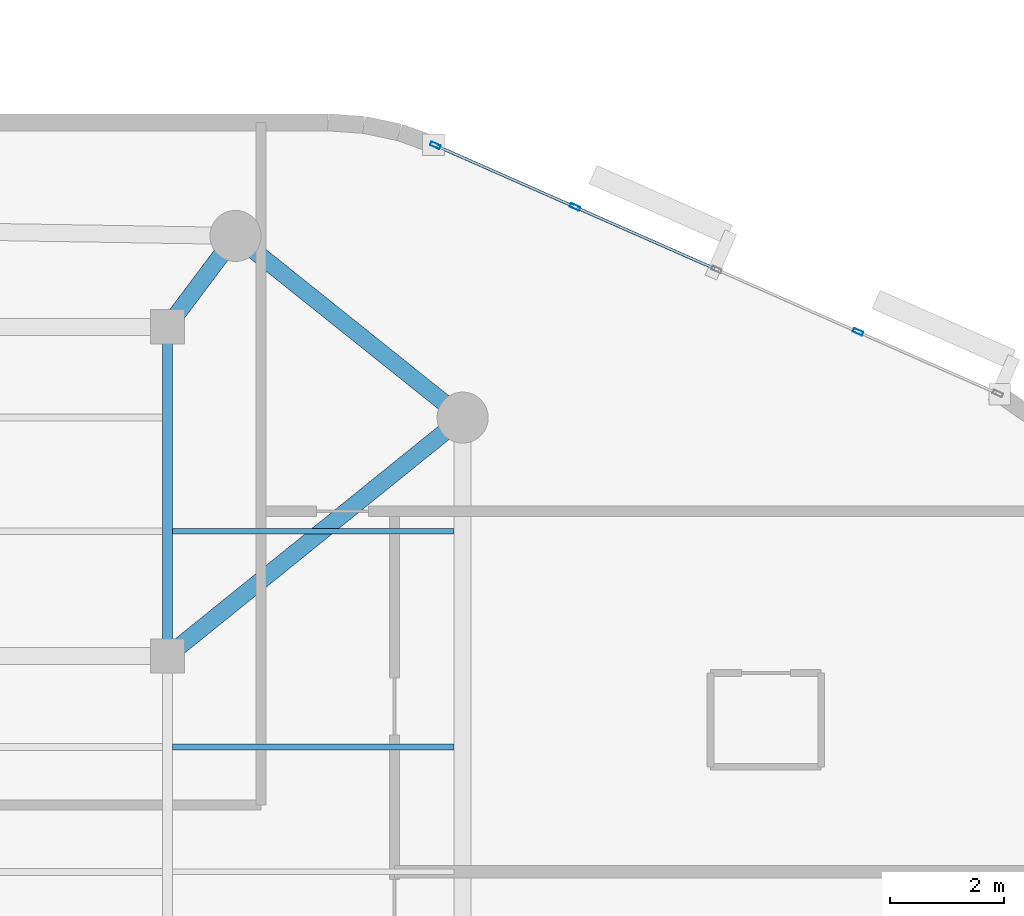
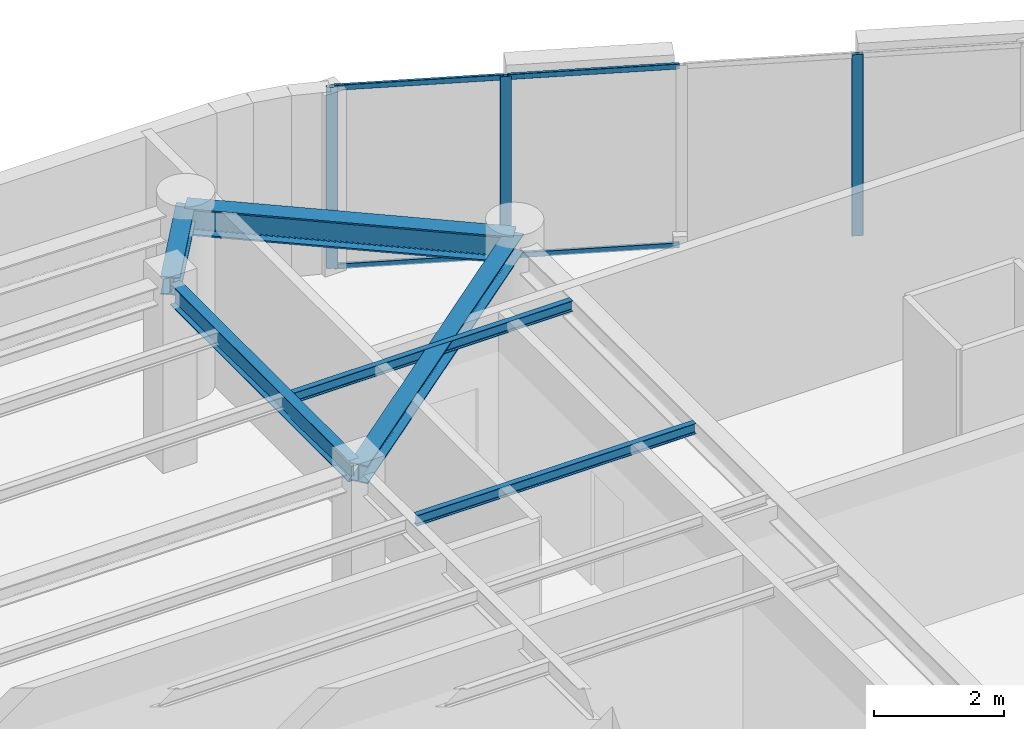
# One storey, part 5 of 12: 7 members, 6 beams, 1 element without a shape of its own.
"""IFC4 building model written with IfcOpenShell, lengths in metres."""

from ifc_helpers import new_model, si_unit, direction, frame, origin, origin_2d, place, context, subcontext, project, spatial, hollow_rectangle, i_section, extrude, material, layer, layer_set, material_profile, profile_set, type_object, element, aggregate, save


model = new_model("IFC4")

# Units and contexts
model_context = context("Model", 3, precision=1e-05, world=origin(), true_north=direction((0.0, 1.0)))
body_context = subcontext(model_context, "Body", "Model", "MODEL_VIEW")
ifc_project = project(units=[si_unit("LENGTHUNIT", "METRE"), si_unit("AREAUNIT", "SQUARE_METRE"), si_unit("VOLUMEUNIT", "CUBIC_METRE"), si_unit("PLANEANGLEUNIT", "RADIAN"), si_unit("MASSUNIT", "GRAM", prefix="KILO")], contexts=[model_context])

# Site, building, storey
site_placement = place(None, origin())
site = spatial("IfcSite", under=ifc_project, at=site_placement, CompositionType="ELEMENT")
building_placement = place(site_placement, origin())
building = spatial("IfcBuilding", under=site, at=building_placement, Name="An Khanh Terracotta Commons", CompositionType="ELEMENT")
storey_placement = place(building_placement, frame((0.0, 0.0, 291.64990234375)))
storey = spatial("IfcBuildingStorey", under=building, at=storey_placement, Name="L76", CompositionType="ELEMENT", Elevation=291.64990234375)

# Beams
ifc_material_1 = material(Name="Steel S355J2", Category="steel")
ifc_material_profile_1 = material_profile(ifc_material_1, i_section(OverallWidth=0.300048828125, OverallDepth=0.340087890625, WebThickness=0.011962890625, FlangeThickness=0.021484375, FilletRadius=0.027099609375, at=origin_2d()), Name="HEB340")
ifc_profile_set_1 = profile_set([ifc_material_profile_1], Name="Steel S355J2")
beam_type_1 = type_object("IfcBeamType", Name="BM-HEB340", PredefinedType="BEAM", material=ifc_profile_set_1)
beam_1_placement = place(storey_placement, frame((63.39990234375, 32.0, 3.239990234375), z_axis=(-0.777941866883, -0.628336256913, 0.0), x_axis=(0.628336256913, -0.777941866883, 0.0)))
element("IfcBeam", 1, at=beam_1_placement, inside=storey, type_object=beam_type_1, Name="L76 Mega-Column Tie Girder 4", PredefinedType="BEAM", context=body_context, shape_type="SweptSolid", body=[
    extrude(i_section(OverallWidth=0.300048828125, OverallDepth=0.340087890625, WebThickness=0.011962890625, FlangeThickness=0.021484375, FilletRadius=0.027099609375, at=origin_2d()), origin(), (0.0, 0.0, 1.0), 6.684326171875),
])
beam_2_placement = place(storey_placement, frame((59.39990234375, 35.199951171875, 3.239990234375), z_axis=(-0.600019532502, -0.799985350251, 0.0), x_axis=(0.799985350251, -0.600019532502, 0.0)))
element("IfcBeam", 2, at=beam_2_placement, inside=storey, type_object=beam_type_1, Name="L76 Mega-Column Tie Girder 5", PredefinedType="BEAM", context=body_context, shape_type="SweptSolid", body=[
    extrude(i_section(OverallWidth=0.300048828125, OverallDepth=0.340087890625, WebThickness=0.011962890625, FlangeThickness=0.021484375, FilletRadius=0.027099609375, at=origin_2d()), origin(), (0.0, 0.0, 1.0), 1.999755859375),
])
ifc_material_profile_2 = material_profile(ifc_material_1, i_section(OverallWidth=0.300048828125, OverallDepth=0.5, WebThickness=0.014404296875, FlangeThickness=0.028076171875, FilletRadius=0.027099609375, at=origin_2d()), Name="HEB500")
ifc_profile_set_2 = profile_set([ifc_material_profile_2], Name="Steel S355J2")
beam_type_2 = type_object("IfcBeamType", Name="BM-HEB500", PredefinedType="BEAM", material=ifc_profile_set_2)
beam_3_placement = place(storey_placement, frame((63.39990234375, 32.0, 3.16015625), z_axis=(-0.780873459249, 0.624689235253, 0.0), x_axis=(-0.624689235253, -0.780873459249, 0.0)))
element("IfcBeam", 3, at=beam_3_placement, inside=storey, type_object=beam_type_2, Name="L76 Perimeter Ring Spandrel 4", PredefinedType="BEAM", context=body_context, shape_type="SweptSolid", body=[
    extrude(i_section(OverallWidth=0.300048828125, OverallDepth=0.5, WebThickness=0.014404296875, FlangeThickness=0.028076171875, FilletRadius=0.027099609375, at=origin_2d()), origin(), (0.0, 0.0, 1.0), 5.12255859375),
])
ifc_material_profile_3 = material_profile(ifc_material_1, i_section(OverallWidth=0.10009765625, OverallDepth=0.199951171875, WebThickness=0.005615234375, FlangeThickness=0.008544921875, FilletRadius=0.011962890625, at=origin_2d()), Name="IPE200")
ifc_profile_set_3 = profile_set([ifc_material_profile_3], Name="Steel S355J2")
beam_type_3 = type_object("IfcBeamType", Name="BM-IPE200", PredefinedType="JOIST", material=ifc_profile_set_3)
for number, where, z_axis, x_axis, name in (
    (4, (58.2900390625, 26.199951171875, 3.31005859375), (1.0, 0.0, 0.0), (0.0, 1.0, 0.0), "L76 Riverfront Composite Joist 5"),
    (5, (58.2900390625, 30.0, 3.31005859375), (1.0, 0.0, 0.0), (0.0, 1.0, 0.0), "L76 Riverfront Composite Joist 6"),
):
    element("IfcBeam", number, at=place(storey_placement, frame(where, z_axis=z_axis, x_axis=x_axis)), inside=storey, type_object=beam_type_3, Name=name, PredefinedType="JOIST", context=body_context, shape_type="SweptSolid", body=[
        extrude(i_section(OverallWidth=0.10009765625, OverallDepth=0.199951171875, WebThickness=0.005615234375, FlangeThickness=0.008544921875, FilletRadius=0.011962890625, at=origin_2d()), origin(), (0.0, 0.0, 1.0), 4.9599609375),
    ])
ifc_material_profile_4 = material_profile(ifc_material_1, i_section(OverallWidth=0.179931640625, OverallDepth=0.39990234375, WebThickness=0.008544921875, FlangeThickness=0.013427734375, FilletRadius=0.02099609375, at=origin_2d()), Name="IPE400")
ifc_profile_set_4 = profile_set([ifc_material_profile_4], Name="Steel S355J2")
beam_type_4 = type_object("IfcBeamType", Name="BM-IPE400", PredefinedType="JOIST", material=ifc_profile_set_4)
beam_4_placement = place(storey_placement, frame((58.199951171875, 27.949951171875, 3.210205078125), z_axis=(0.0, 1.0, 0.0), x_axis=(-1.0, 0.0, 0.0)))
element("IfcBeam", 6, at=beam_4_placement, inside=storey, type_object=beam_type_4, Name="L76 East Spine Girder 3", PredefinedType="JOIST", context=body_context, shape_type="SweptSolid", body=[
    extrude(i_section(OverallWidth=0.179931640625, OverallDepth=0.39990234375, WebThickness=0.008544921875, FlangeThickness=0.013427734375, FilletRadius=0.02099609375, at=origin_2d()), origin(), (0.0, 0.0, 1.0), 5.5),
])

# Curtain wall, members
ifc_material_2 = material(Name="Anodised Aluminium 6063-T6", Category="aluminium")
ifc_layer = layer(ifc_material_2, 0.2099609375, Name="Anodised Aluminium 6063-T6")
ifc_layer_set = layer_set([ifc_layer], Name="Anodised Aluminium 6063-T6")
curtain_wall_type = type_object("IfcCurtainWallType", Name="CW-SYS-03", PredefinedType="USERDEFINED", material=ifc_layer_set)
curtain_wall_placement = place(storey_placement, origin())
curtain_wall = element("IfcCurtainWall", 7, at=curtain_wall_placement, inside=storey, type_object=curtain_wall_type, Name="L76 CW-03 Unitised Curtain Wall CW-L76-16", ObjectType="UNITISED CURTAIN WALL", PredefinedType="USERDEFINED")
ifc_material_profile_5 = material_profile(ifc_material_2, hollow_rectangle(XDim=0.070068359375, YDim=0.179931640625, WallThickness=0.00390625, InnerFilletRadius=0.00390625, OuterFilletRadius=0.008056640625, at=origin_2d()), Name="RHS180x70x4")
ifc_profile_set_5 = profile_set([ifc_material_profile_5], Name="Anodised Aluminium 6063-T6")
member_type_1 = type_object("IfcMemberType", Name="CWM-RHS180x70x4", PredefinedType="MULLION", material=ifc_profile_set_5)
member_1_placement = place(storey_placement, frame((70.364501953125, 33.509765625, 0.0), z_axis=(0.0, 0.0, 1.0), x_axis=(-0.403676354285, -0.914901853201, 0.0)))
member_1 = element("IfcMember", 8, at=member_1_placement, type_object=member_type_1, Name="CW-03 mullion 2", PredefinedType="MULLION", context=body_context, shape_type="SweptSolid", body=[
    extrude(hollow_rectangle(XDim=0.070068359375, YDim=0.179931640625, WallThickness=0.00390625, InnerFilletRadius=0.00390625, OuterFilletRadius=0.008056640625, at=origin_2d()), origin(), (0.0, 0.0, 1.0), 3.41015625),
])
member_2_placement = place(storey_placement, frame((65.37939453125, 35.709228515625, 0.0), z_axis=(0.0, 0.0, 1.0), x_axis=(-0.403676354285, -0.914901853201, 0.0)))
member_2 = element("IfcMember", 9, at=member_2_placement, type_object=member_type_1, Name="CW-03 mullion 4", PredefinedType="MULLION", context=body_context, shape_type="SweptSolid", body=[
    extrude(hollow_rectangle(XDim=0.070068359375, YDim=0.179931640625, WallThickness=0.00390625, InnerFilletRadius=0.00390625, OuterFilletRadius=0.008056640625, at=origin_2d()), origin(), (0.0, 0.0, 1.0), 3.41015625),
])
member_3_placement = place(storey_placement, frame((62.9189453125, 36.794921875, 0.0), z_axis=(0.0, 0.0, 1.0), x_axis=(-0.403676354285, -0.914901853201, 0.0)))
member_3 = element("IfcMember", 10, at=member_3_placement, type_object=member_type_1, Name="CW-03 mullion 5", PredefinedType="MULLION", context=body_context, shape_type="SweptSolid", body=[
    extrude(hollow_rectangle(XDim=0.070068359375, YDim=0.179931640625, WallThickness=0.00390625, InnerFilletRadius=0.00390625, OuterFilletRadius=0.008056640625, at=origin_2d()), origin(), (0.0, 0.0, 1.0), 3.41015625),
])
ifc_material_profile_6 = material_profile(ifc_material_2, hollow_rectangle(XDim=0.050048828125, YDim=0.10009765625, WallThickness=0.003173828125, InnerFilletRadius=0.003173828125, OuterFilletRadius=0.00634765625, at=origin_2d()), Name="RHS100x50x3.2")
ifc_profile_set_6 = profile_set([ifc_material_profile_6], Name="Anodised Aluminium 6063-T6")
member_type_2 = type_object("IfcMemberType", Name="CWT-RHS100x50x3.2", PredefinedType="USERDEFINED", material=ifc_profile_set_6)
member_4_placement = place(storey_placement, frame((67.840087890625, 34.62353515625, 0.025146484375), z_axis=(-0.914896820753, 0.403687759755, 0.0), x_axis=(-0.403687759755, -0.914896820753, 0.0)))
member_4 = element("IfcMember", 11, at=member_4_placement, type_object=member_type_2, Name="CW-03 transom 3.1", ObjectType="TRANSOM", PredefinedType="USERDEFINED", context=body_context, shape_type="SweptSolid", body=[
    extrude(hollow_rectangle(XDim=0.050048828125, YDim=0.10009765625, WallThickness=0.003173828125, InnerFilletRadius=0.003173828125, OuterFilletRadius=0.00634765625, at=origin_2d()), origin(), (0.0, 0.0, 1.0), 2.654296875),
])
member_5_placement = place(storey_placement, frame((67.840087890625, 34.62353515625, 3.385009765625), z_axis=(-0.914896820753, 0.403687759755, 0.0), x_axis=(-0.403687759755, -0.914896820753, 0.0)))
member_5 = element("IfcMember", 12, at=member_5_placement, type_object=member_type_2, Name="CW-03 transom 3.2", ObjectType="TRANSOM", PredefinedType="USERDEFINED", context=body_context, shape_type="SweptSolid", body=[
    extrude(hollow_rectangle(XDim=0.050048828125, YDim=0.10009765625, WallThickness=0.003173828125, InnerFilletRadius=0.003173828125, OuterFilletRadius=0.00634765625, at=origin_2d()), origin(), (0.0, 0.0, 1.0), 2.654296875),
])
member_6_placement = place(storey_placement, frame((65.347412109375, 35.723388671875, 0.025146484375), z_axis=(-0.914903627858, 0.403672332137, 0.0), x_axis=(-0.403672332137, -0.914903627858, 0.0)))
member_6 = element("IfcMember", 13, at=member_6_placement, type_object=member_type_2, Name="CW-03 transom 4.1", ObjectType="TRANSOM", PredefinedType="USERDEFINED", context=body_context, shape_type="SweptSolid", body=[
    extrude(hollow_rectangle(XDim=0.050048828125, YDim=0.10009765625, WallThickness=0.003173828125, InnerFilletRadius=0.003173828125, OuterFilletRadius=0.00634765625, at=origin_2d()), origin(), (0.0, 0.0, 1.0), 2.619384765625),
])
member_7_placement = place(storey_placement, frame((65.347412109375, 35.723388671875, 3.385009765625), z_axis=(-0.914903627858, 0.403672332137, 0.0), x_axis=(-0.403672332137, -0.914903627858, 0.0)))
member_7 = element("IfcMember", 14, at=member_7_placement, type_object=member_type_2, Name="CW-03 transom 4.2", ObjectType="TRANSOM", PredefinedType="USERDEFINED", context=body_context, shape_type="SweptSolid", body=[
    extrude(hollow_rectangle(XDim=0.050048828125, YDim=0.10009765625, WallThickness=0.003173828125, InnerFilletRadius=0.003173828125, OuterFilletRadius=0.00634765625, at=origin_2d()), origin(), (0.0, 0.0, 1.0), 2.619384765625),
])
aggregate(curtain_wall, [member_1, member_2, member_3, member_4, member_5, member_6, member_7])

save(model, "model.ifc")
